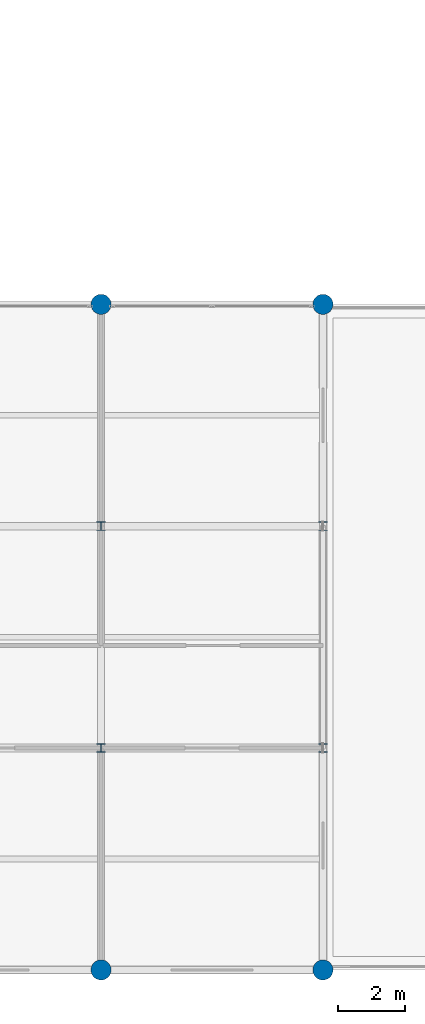
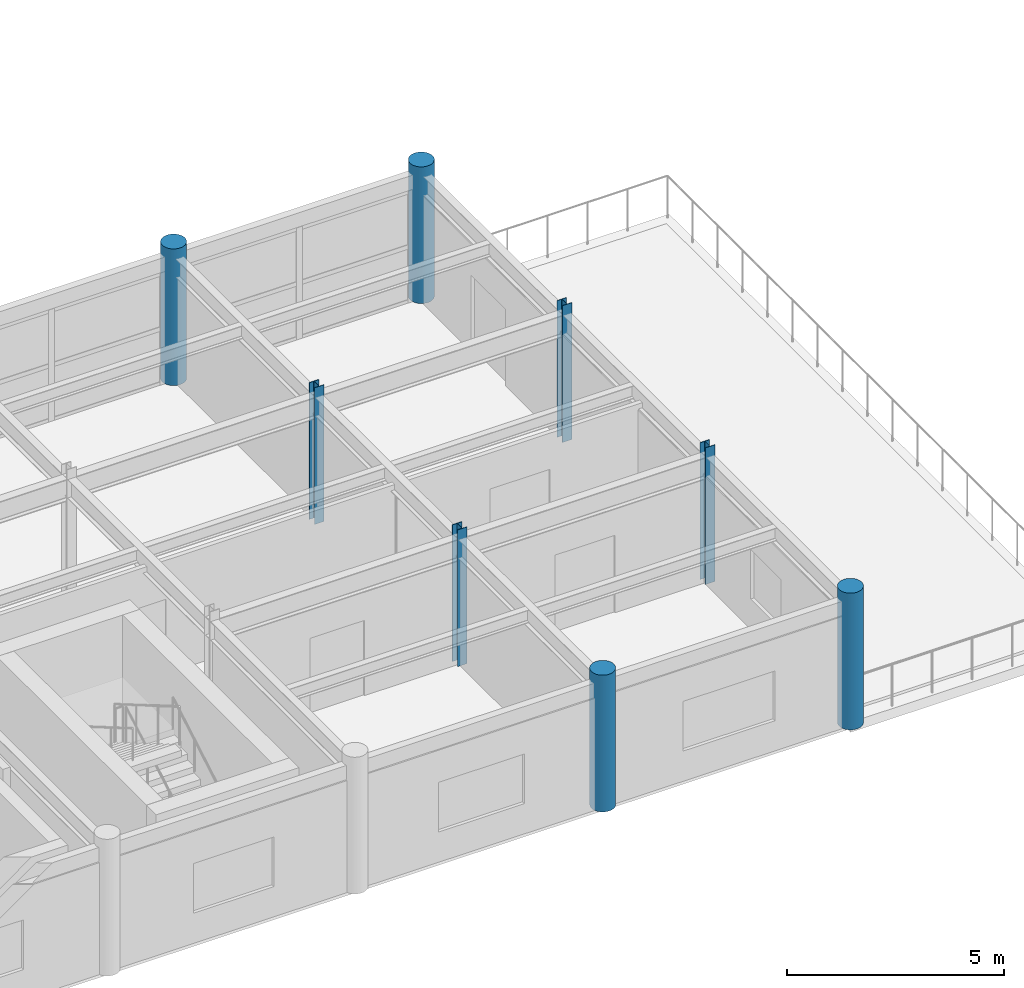
# One storey, part 3 of 28: 8 columns.
"""IFC4 building model written with IfcOpenShell, lengths in metres."""

import ifcopenshell
import ifcopenshell.guid

model = None  # the IFC model being written
_history = None  # IfcOwnerHistory: only IFC2X3 demands one
_inside = {}  # id of a spatial element -> (the spatial element, [elements in it])
_under = {}  # id of a project, library or spatial element -> (it, [spatial elements below it])
_declared = {}  # id of a project -> (the project, [libraries it declares])
_typed = {}  # id of a type object -> (the type object, [elements of that type])
_made_of = {}  # id of a material, layer set ... -> (it, [elements and type objects made of it])


def new_model(schema):
    """Start an empty IFC model of exactly this schema.

    Asked for "IFC4X3", IfcOpenShell would pick the latest addendum, in which some entities
    have other attributes; the version numbers below select the first issue.
    IFC2X3 requires an IfcOwnerHistory on every rooted entity: one is made here for all.
    """
    global model, _history
    if schema == "IFC4X3":
        model = ifcopenshell.file(schema_version=(4, 3, 0, 0))
    else:
        model = ifcopenshell.file(schema=schema)
    _inside.clear()
    _under.clear()
    _declared.clear()
    _typed.clear()
    _made_of.clear()
    _history = None
    if model.schema == "IFC2X3":
        org = make("IfcOrganization", Name="unknown")
        user = make(
            "IfcPersonAndOrganization",
            ThePerson=make("IfcPerson", FamilyName="unknown"),
            TheOrganization=org,
        )
        app = make(
            "IfcApplication",
            ApplicationDeveloper=org,
            Version="unknown",
            ApplicationFullName="unknown",
            ApplicationIdentifier="unknown",
        )
        _history = make(
            "IfcOwnerHistory",
            OwningUser=user,
            OwningApplication=app,
            ChangeAction="ADDED",
            CreationDate=0,
        )
    return model


def make(cls, **values):
    """One entity of the class cls with the attributes given. An attribute that is None is left unset."""
    return model.create_entity(
        cls, **{name: value for name, value in values.items() if value is not None}
    )


def rooted(cls, **values):
    """An entity with a GlobalId (a new one), such as an element, a storey or a relation."""
    return make(cls, GlobalId=ifcopenshell.guid.new(), OwnerHistory=_history, **values)


def si_unit(unit_type, name, prefix=None):
    """IfcSIUnit, for example si_unit("LENGTHUNIT", "METRE", prefix="MILLI")."""
    return make("IfcSIUnit", UnitType=unit_type, Prefix=prefix, Name=name)


def assignment(units):
    """IfcUnitAssignment: the units of a project."""
    return None if units is None else make("IfcUnitAssignment", Units=units)


def point(xyz):
    """IfcCartesianPoint."""
    return None if xyz is None else make("IfcCartesianPoint", Coordinates=xyz)


def direction(xyz):
    """IfcDirection."""
    return None if xyz is None else make("IfcDirection", DirectionRatios=xyz)


def frame(location, z_axis=None, x_axis=None):
    """IfcAxis2Placement3D, a coordinate frame: its origin and axes. An axis left out is left unset."""
    return make(
        "IfcAxis2Placement3D",
        Location=point(location),
        Axis=direction(z_axis),
        RefDirection=direction(x_axis),
    )


def frame_2d(location, x_axis=None):
    """IfcAxis2Placement2D, a coordinate frame in the plane: its origin and x axis."""
    return make(
        "IfcAxis2Placement2D", Location=point(location), RefDirection=direction(x_axis)
    )


def origin():
    """The frame at (0, 0, 0) with its axes left unset."""
    return frame((0.0, 0.0, 0.0))


def origin_2d():
    """The frame at (0, 0) in the plane with its x axis left unset."""
    return frame_2d((0.0, 0.0))


def place(relative_to, where):
    """IfcLocalPlacement: puts the frame where relative to a parent placement (None: the world)."""
    return make(
        "IfcLocalPlacement", PlacementRelTo=relative_to, RelativePlacement=where
    )


def context(
    kind, dimensions, precision=None, world=None, true_north=None, identifier=None
):
    """IfcGeometricRepresentationContext, for example the 3D "Model" context."""
    return make(
        "IfcGeometricRepresentationContext",
        ContextIdentifier=identifier,
        ContextType=kind,
        CoordinateSpaceDimension=dimensions,
        Precision=precision,
        WorldCoordinateSystem=world,
        TrueNorth=true_north,
    )


def subcontext(parent, identifier, kind, view, scale=None):
    """IfcGeometricRepresentationSubContext, for example "Body" below "Model"."""
    return make(
        "IfcGeometricRepresentationSubContext",
        ContextIdentifier=identifier,
        ContextType=kind,
        ParentContext=parent,
        TargetScale=scale,
        TargetView=view,
    )


def project(units=None, contexts=None):
    """IfcProject with its units and contexts."""
    return rooted(
        "IfcProject",
        Name="project",
        RepresentationContexts=contexts,
        UnitsInContext=assignment(units),
    )


def spatial(cls, under=None, at=None, **own):
    """A site, building, storey or space (cls), placed at a placement, below another one or the project."""
    s = rooted(cls, ObjectPlacement=at, **own)
    if under is not None:
        _under.setdefault(under.id(), (under, []))[1].append(s)
    return s


def profile(cls, at=None, kind="AREA", **sizes):
    """A parametric profile (cls). Its sizes go by their IFC names, for example OverallWidth=200.0."""
    return make(cls, ProfileType=kind, Position=at, **sizes)


def circle(**sizes):
    """IfcCircleProfileDef."""
    return profile("IfcCircleProfileDef", **sizes)


def i_section(**sizes):
    """IfcIShapeProfileDef."""
    return profile("IfcIShapeProfileDef", **sizes)


def extrude(swept, where, along, depth):
    """IfcExtrudedAreaSolid: the profile swept, set in the frame where, extruded along a direction by depth."""
    return make(
        "IfcExtrudedAreaSolid",
        SweptArea=swept,
        Position=where,
        ExtrudedDirection=direction(along),
        Depth=depth,
    )


def shape(context_of_items, identifier, shape_type, items):
    """IfcShapeRepresentation: the items that make up one representation, for example the "Body"."""
    return make(
        "IfcShapeRepresentation",
        ContextOfItems=context_of_items,
        RepresentationIdentifier=identifier,
        RepresentationType=shape_type,
        Items=items,
    )


def material(Name=None, Category=None):
    """IfcMaterial."""
    return make("IfcMaterial", Name=Name, Category=Category)


def material_profile(
    of_material, cross_section, Name=None, Category=None, Priority=None
):
    """IfcMaterialProfile: a cross section and its material."""
    return make(
        "IfcMaterialProfile",
        Name=Name,
        Material=of_material,
        Profile=cross_section,
        Priority=Priority,
        Category=Category,
    )


def profile_set(profiles, Name=None, composite=None):
    """IfcMaterialProfileSet."""
    return make(
        "IfcMaterialProfileSet",
        Name=Name,
        MaterialProfiles=profiles,
        CompositeProfile=composite,
    )


def made_of(thing, what):
    """Note that an element or type object is made of a material, layer set ...; save() writes the relation."""
    if what is not None:
        _made_of.setdefault(what.id(), (what, []))[1].append(thing)
    return thing


def type_object(cls, material=None, **own):
    """A type object (cls), such as IfcWallType, which elements share."""
    return made_of(rooted(cls, **own), material)


def element(
    cls,
    number,
    at=None,
    inside=None,
    cuts=None,
    type_object=None,
    material=None,
    context=None,
    identifier="Body",
    shape_type=None,
    held_by="IfcProductDefinitionShape",
    body=None,
    shapes=None,
    **own,
):
    """One element of the class cls, such as IfcWall. Its Tag is "e" and its number.

    at: its placement. inside: the storey or other place that contains it. cuts: it is an
    opening in that element (IfcRelVoidsElement). A single representation is given by context,
    identifier, shape_type and body (its items); several are given by shapes. held_by: the class
    of the entity that holds the representations. save() writes the other relations.
    """
    e = rooted(cls, Tag="e%d" % number, ObjectPlacement=at, **own)
    if body is not None:
        shapes = [shape(context, identifier, shape_type, body)]
    if shapes is not None:
        e.Representation = make(held_by, Representations=shapes)
    if inside is not None:
        _inside.setdefault(inside.id(), (inside, []))[1].append(e)
    if cuts is not None:
        rooted(
            "IfcRelVoidsElement", RelatingBuildingElement=cuts, RelatedOpeningElement=e
        )
    if type_object is not None:
        _typed.setdefault(type_object.id(), (type_object, []))[1].append(e)
    return made_of(e, material)


def aggregate(whole, parts):
    """IfcRelAggregates: a whole, such as a stair, and the parts it consists of."""
    return rooted("IfcRelAggregates", RelatingObject=whole, RelatedObjects=parts)


def save(model, path):
    """Write the relations noted so far, then the file.

    IfcRelAggregates (storeys below a building ...), IfcRelContainedInSpatialStructure (elements
    in a storey), IfcRelDefinesByType, IfcRelAssociatesMaterial and IfcRelDeclares: one each for
    every whole, place, type object, material and project.
    """
    for whole, parts in _under.values():
        aggregate(whole, parts)
    for where, things in _inside.values():
        rooted(
            "IfcRelContainedInSpatialStructure",
            RelatedElements=things,
            RelatingStructure=where,
        )
    for kind, things in _typed.values():
        rooted("IfcRelDefinesByType", RelatedObjects=things, RelatingType=kind)
    for what, things in _made_of.values():
        rooted("IfcRelAssociatesMaterial", RelatedObjects=things, RelatingMaterial=what)
    for by, libraries in _declared.values():
        rooted("IfcRelDeclares", RelatingContext=by, RelatedDefinitions=libraries)
    model.write(path)


model = new_model("IFC4")

# Units and contexts
model_context = context("Model", 3, precision=1e-05, world=origin(), true_north=direction((0.0, 1.0)))
body_context = subcontext(model_context, "Body", "Model", "MODEL_VIEW")
ifc_project = project(units=[si_unit("LENGTHUNIT", "METRE"), si_unit("AREAUNIT", "SQUARE_METRE"), si_unit("VOLUMEUNIT", "CUBIC_METRE"), si_unit("PLANEANGLEUNIT", "RADIAN"), si_unit("MASSUNIT", "GRAM", prefix="KILO")], contexts=[model_context])

# Site, building, storey
site_placement = place(None, origin())
site = spatial("IfcSite", under=ifc_project, at=site_placement, CompositionType="ELEMENT")
building_placement = place(site_placement, origin())
building = spatial("IfcBuilding", under=site, at=building_placement, Name="Karori Crest Natural Sciences Institute", CompositionType="ELEMENT")
storey_placement = place(building_placement, frame((0.0, 0.0, 34.300048828125)))
storey = spatial("IfcBuildingStorey", under=building, at=storey_placement, Name="L08", CompositionType="ELEMENT", Elevation=34.300048828125)

# Columns
ifc_material_1 = material(Name="Structural steel AS/NZS 3679.1 Grade 350", Category="steel")
ifc_material_profile_1 = material_profile(ifc_material_1, i_section(OverallWidth=0.25390625, OverallDepth=0.25390625, WebThickness=0.008544921875, FlangeThickness=0.01416015625, FilletRadius=0.013916015625, at=origin_2d()), Name="250UC72.9")
ifc_profile_set_1 = profile_set([ifc_material_profile_1], Name="Structural steel AS/NZS 3679.1 Grade 350")
column_type_1 = type_object("IfcColumnType", Name="CT-07-IL", PredefinedType="COLUMN", material=ifc_profile_set_1)
for number, where, z_axis, x_axis, name in (
    (1, (143.199951171875, 7.39990234375, 0.0), (0.0, 0.0, 1.0), (1.0, 0.0, 0.0), "Column C-1325"),
    (2, (143.199951171875, 14.0, 0.0), (0.0, 0.0, 1.0), (1.0, 0.0, 0.0), "Column C-1336"),
    (3, (149.800048828125, 7.39990234375, 0.0), (0.0, 0.0, 1.0), (1.0, 0.0, 0.0), "Column C-1369"),
    (4, (149.800048828125, 14.0, 0.0), (0.0, 0.0, 1.0), (1.0, 0.0, 0.0), "Column C-1380"),
):
    element("IfcColumn", number, at=place(storey_placement, frame(where, z_axis=z_axis, x_axis=x_axis)), inside=storey, type_object=column_type_1, Name=name, PredefinedType="COLUMN", context=body_context, shape_type="SweptSolid", body=[
        extrude(i_section(OverallWidth=0.25390625, OverallDepth=0.25390625, WebThickness=0.008544921875, FlangeThickness=0.01416015625, FilletRadius=0.013916015625, at=origin_2d()), origin(), (0.0, 0.0, 1.0), 3.849853515625),
    ])
ifc_material_2 = material(Name="Concrete 50 MPa", Category="concrete")
ifc_material_profile_2 = material_profile(ifc_material_2, circle(Radius=0.300048828125, at=origin_2d()), Name="RCC600")
ifc_profile_set_2 = profile_set([ifc_material_profile_2], Name="Concrete 50 MPa")
column_type_2 = type_object("IfcColumnType", Name="CT-24", PredefinedType="PILASTER", material=ifc_profile_set_2)
for number, where, z_axis, x_axis, name in (
    (5, (143.199951171875, 0.800048828125, 0.0), (0.0, 0.0, 1.0), (1.0, 0.0, 0.0), "Column C-1314"),
    (6, (143.199951171875, 20.60009765625, 0.0), (0.0, 0.0, 1.0), (1.0, 0.0, 0.0), "Column C-1347"),
    (7, (149.800048828125, 0.800048828125, 0.0), (0.0, 0.0, 1.0), (1.0, 0.0, 0.0), "Column C-1358"),
    (8, (149.800048828125, 20.60009765625, 0.0), (0.0, 0.0, 1.0), (1.0, 0.0, 0.0), "Column C-1391"),
):
    element("IfcColumn", number, at=place(storey_placement, frame(where, z_axis=z_axis, x_axis=x_axis)), inside=storey, type_object=column_type_2, Name=name, PredefinedType="PILASTER", context=body_context, shape_type="SweptSolid", body=[
        extrude(circle(Radius=0.300048828125, at=origin_2d()), origin(), (0.0, 0.0, 1.0), 3.849853515625),
    ])

save(model, "model.ifc")
